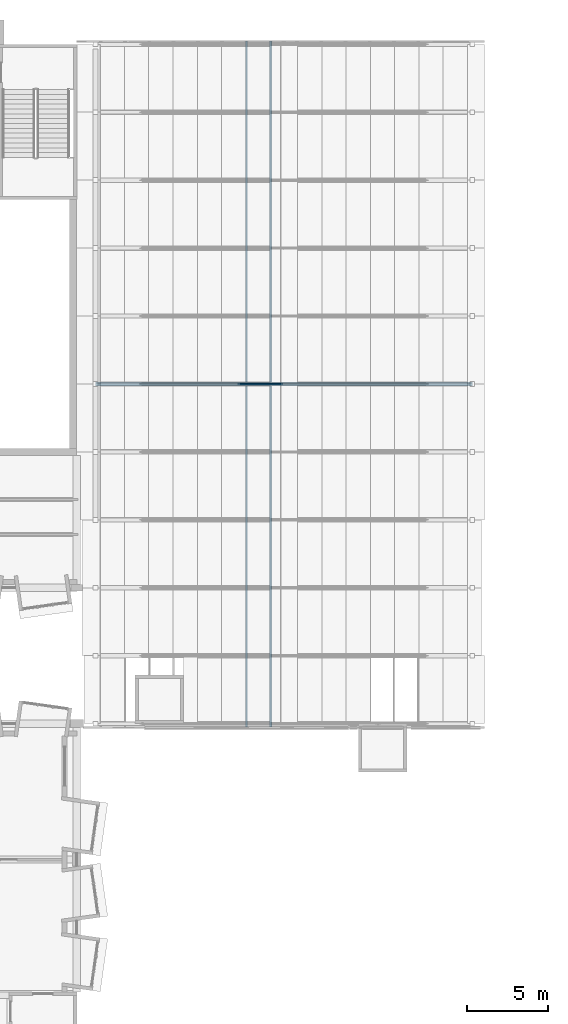
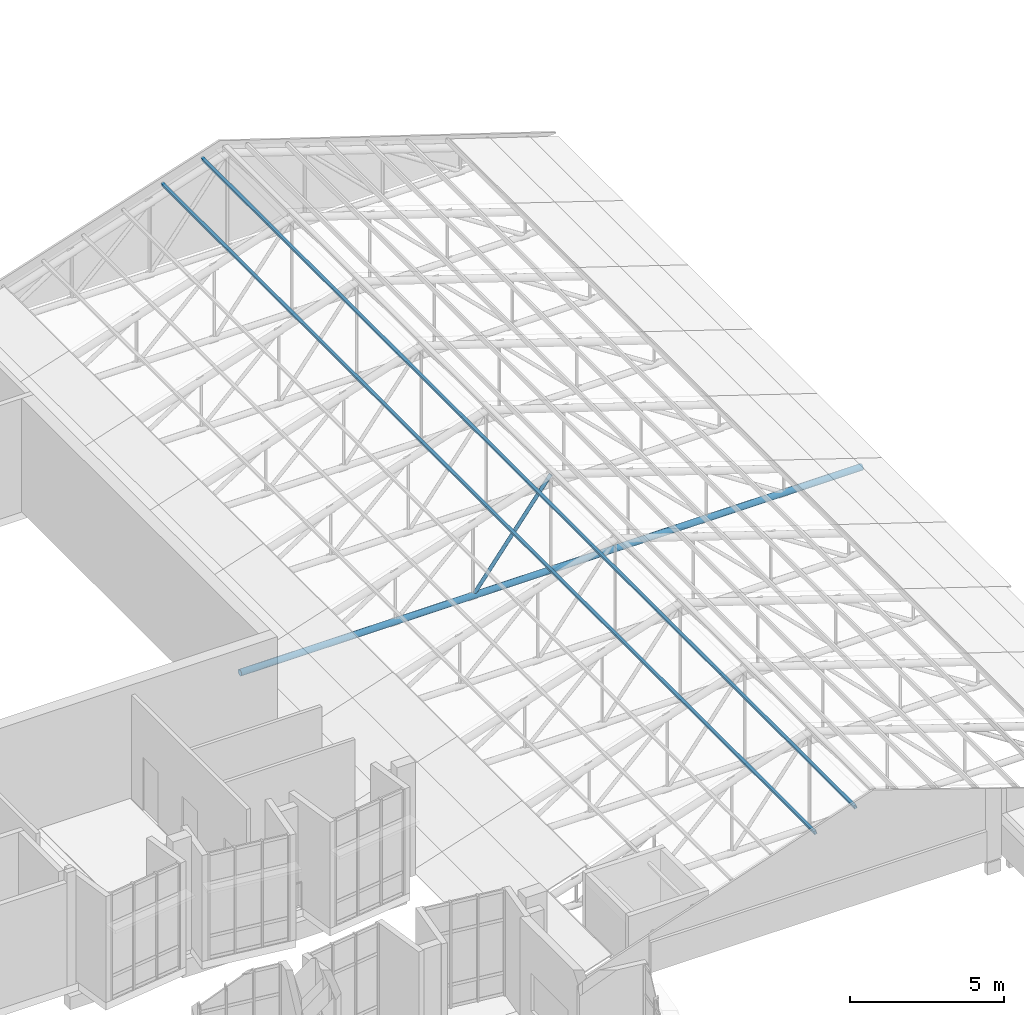
# One storey, part 26 of 95: 4 members.
"""IFC4 building model written with IfcOpenShell, lengths in metres."""

from ifc_helpers import new_model, si_unit, direction, frame, origin, origin_2d, place, context, subcontext, project, spatial, hollow_rectangle, hollow_circle, extrude, material, material_profile, profile_set, type_object, element, save


model = new_model("IFC4")

# Units and contexts
model_context = context("Model", 3, precision=1e-05, world=origin(), true_north=direction((0.0, 1.0)))
body_context = subcontext(model_context, "Body", "Model", "MODEL_VIEW")
ifc_project = project(units=[si_unit("LENGTHUNIT", "METRE"), si_unit("AREAUNIT", "SQUARE_METRE"), si_unit("VOLUMEUNIT", "CUBIC_METRE"), si_unit("PLANEANGLEUNIT", "RADIAN"), si_unit("MASSUNIT", "GRAM", prefix="KILO")], contexts=[model_context])

# Site, building, storey
site_placement = place(None, origin())
site = spatial("IfcSite", under=ifc_project, at=site_placement, CompositionType="ELEMENT")
building_placement = place(site_placement, origin())
building = spatial("IfcBuilding", under=site, at=building_placement, Name="Kiln Court Media Centre", CompositionType="ELEMENT")
storey_placement = place(building_placement, frame((0.0, 0.0, 24.60009765625)))
storey = spatial("IfcBuildingStorey", under=building, at=storey_placement, Name="L05", CompositionType="ELEMENT", Elevation=24.60009765625)

# Members
ifc_material_1 = material(Name="Steel ASTM A500 Gr C", Category="steel")
ifc_material_profile_1 = material_profile(ifc_material_1, hollow_circle(Radius=0.06982421875, WallThickness=0.0048828125, at=origin_2d()), Name="CHS 139.7x5.0")
ifc_profile_set_1 = profile_set([ifc_material_profile_1], Name="Steel ASTM A500 Gr C")
member_type_1 = type_object("IfcMemberType", Name="Steel ASTM A500 Gr C CHS 139.7x5.0 truss web", PredefinedType="BRACE", material=ifc_profile_set_1)
member_1_placement = place(storey_placement, frame((43.487548828125, 46.199951171875, -0.013916015625), z_axis=(0.609777458127, 0.0, 0.79257267904), x_axis=(0.0, 1.0, 0.0)))
element("IfcMember", 1, at=member_1_placement, inside=storey, type_object=member_type_1, Name="foyer truss FT-06 diagonal 4 truss web", PredefinedType="BRACE", context=body_context, shape_type="SweptSolid", body=[
    extrude(hollow_circle(Radius=0.06982421875, WallThickness=0.0048828125, at=origin_2d()), origin(), (0.0, 0.0, 1.0), 4.776123046875),
])
ifc_material_2 = material(Name="Steel ASTM A500 Gr C", Category="steel")
ifc_material_profile_2 = material_profile(ifc_material_2, hollow_circle(Radius=0.122314453125, WallThickness=0.010009765625, at=origin_2d()), Name="CHS 244.5x10.0")
ifc_profile_set_2 = profile_set([ifc_material_profile_2], Name="Steel ASTM A500 Gr C")
member_type_2 = type_object("IfcMemberType", Name="Steel ASTM A500 Gr C CHS 244.5x10.0 truss chord", PredefinedType="CHORD", material=ifc_profile_set_2)
member_2_placement = place(storey_placement, frame((34.75, 46.199951171875, -0.013916015625), z_axis=(1.0, 0.0, 0.0), x_axis=(0.0, 1.0, 0.0)))
element("IfcMember", 2, at=member_2_placement, inside=storey, type_object=member_type_2, Name="foyer truss FT-06 bottom chord truss chord", PredefinedType="CHORD", context=body_context, shape_type="SweptSolid", body=[
    extrude(hollow_circle(Radius=0.122314453125, WallThickness=0.010009765625, at=origin_2d()), origin(), (0.0, 0.0, 1.0), 23.300048828125),
])
ifc_material_3 = material(Name="Steel ASTM A500 Gr C", Category="steel")
ifc_material_profile_3 = material_profile(ifc_material_3, hollow_rectangle(XDim=0.10009765625, YDim=0.14990234375, WallThickness=0.008056640625, at=origin_2d()), Name="RHS 150x100x8.0")
ifc_profile_set_3 = profile_set([ifc_material_profile_3], Name="Steel ASTM A500 Gr C")
member_type_3 = type_object("IfcMemberType", Name="Steel ASTM A500 Gr C RHS 150x100x8.0 roof purlin", PredefinedType="PURLIN", material=ifc_profile_set_3)
for number, where, z_axis, x_axis, name in (
    (3, (44.085205078125, 25.005615234375, 3.239501953125), (0.0, 1.0, 0.0), (-0.951056516295, 0.0, -0.309016994375), "foyer roof west purlin 7 roof purlin"),
    (4, (45.585205078125, 25.005615234375, 3.72705078125), (0.0, 1.0, 0.0), (-0.951056516295, 0.0, -0.309016994375), "foyer roof west purlin 8 roof purlin"),
):
    element("IfcMember", number, at=place(storey_placement, frame(where, z_axis=z_axis, x_axis=x_axis)), inside=storey, type_object=member_type_3, Name=name, PredefinedType="PURLIN", context=body_context, shape_type="SweptSolid", body=[
        extrude(hollow_rectangle(XDim=0.10009765625, YDim=0.14990234375, WallThickness=0.008056640625, at=origin_2d()), origin(), (0.0, 0.0, 1.0), 42.388916015625),
    ])

save(model, "model.ifc")
